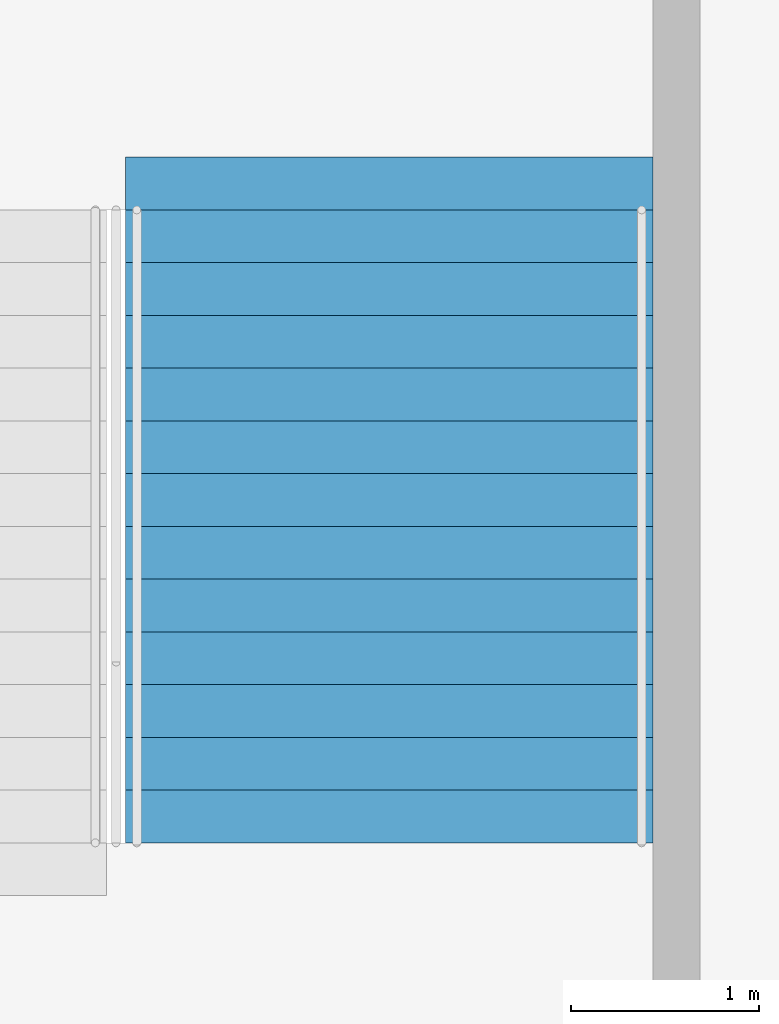
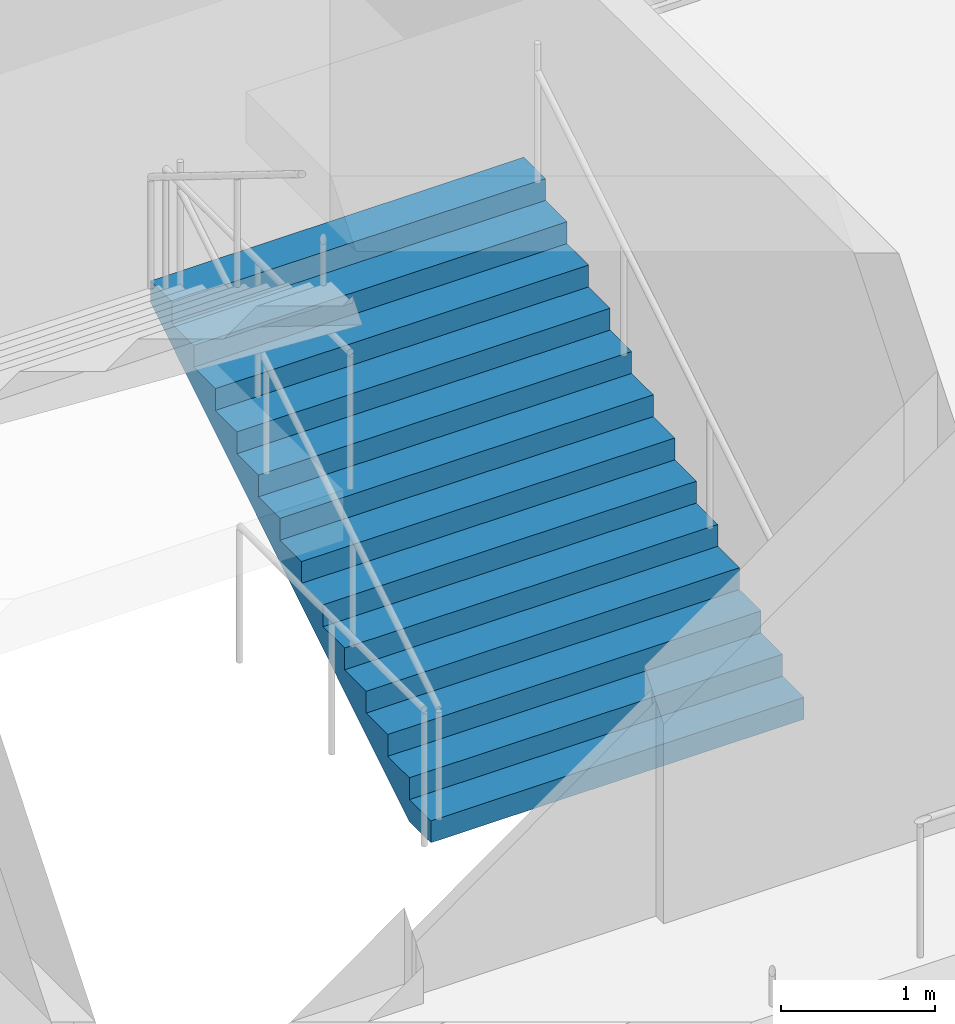
# One storey, part 143 of 177: 1 stair flight, 1 element without a shape of its own.
"""IFC4 building model written with IfcOpenShell, lengths in metres."""

from ifc_helpers import new_model, si_unit, direction, frame, origin, place, context, subcontext, project, spatial, faceted_brep, material, type_object, element, aggregate, save


model = new_model("IFC4")

# Units and contexts
model_context = context("Model", 3, precision=1e-05, world=origin(), true_north=direction((0.0, 1.0)))
body_context = subcontext(model_context, "Body", "Model", "MODEL_VIEW")
ifc_project = project(units=[si_unit("LENGTHUNIT", "METRE"), si_unit("AREAUNIT", "SQUARE_METRE"), si_unit("VOLUMEUNIT", "CUBIC_METRE"), si_unit("PLANEANGLEUNIT", "RADIAN"), si_unit("MASSUNIT", "GRAM", prefix="KILO")], contexts=[model_context])

# Site, building, storey
site_placement = place(None, origin())
site = spatial("IfcSite", under=ifc_project, at=site_placement, CompositionType="ELEMENT")
building_placement = place(site_placement, origin())
building = spatial("IfcBuilding", under=site, at=building_placement, Name="Ogive Plaza Stadium", CompositionType="ELEMENT")
storey_placement = place(building_placement, frame((0.0, 0.0, 18.0)))
storey = spatial("IfcBuildingStorey", under=building, at=storey_placement, Name="L04", CompositionType="ELEMENT", Elevation=18.0)

# Stair, stair flight
ifc_material_1 = material(Name="Concrete C40/50", Category="concrete")
stair_type = type_object("IfcStairType", Name="Exit stair", PredefinedType="STRAIGHT_RUN_STAIR", material=ifc_material_1)
stair_placement = place(storey_placement, origin())
stair = element("IfcStair", 1, at=stair_placement, inside=storey, type_object=stair_type, Name="Exit stair ST32A L04 to L05", PredefinedType="STRAIGHT_RUN_STAIR")
ifc_material_2 = material(Name="Concrete C40/50", Category="concrete")
stair_flight_type = type_object("IfcStairFlightType", Name="Exit stair flight", PredefinedType="STRAIGHT", material=ifc_material_2)
stair_flight_placement = place(storey_placement, frame((-29.574951171875, 94.85009765625, 0.0), z_axis=(0.0, 0.0, 1.0), x_axis=(0.0, 1.0, 0.0)))
stair_flight = element("IfcStairFlight", 2, at=stair_flight_placement, type_object=stair_flight_type, Name="ST32A flight 1", NumberOfRisers=13, NumberOfTreads=12, PredefinedType="STRAIGHT", RiserHeight=0.173076923, TreadLength=0.28, context=body_context, shape_type="Brep", body=[
    faceted_brep([(0.28515625, -1.39990234375, 0.0), (3.639892578125, -1.39990234375, 2.07373046875), (3.639892578125, -1.39990234375, 2.25), (3.360107421875, -1.39990234375, 2.25), (3.360107421875, -1.39990234375, 2.076904296875), (3.080078125, -1.39990234375, 2.076904296875), (3.080078125, -1.39990234375, 1.90380859375), (2.800048828125, -1.39990234375, 1.90380859375), (2.800048828125, -1.39990234375, 1.730712890625), (2.52001953125, -1.39990234375, 1.730712890625), (2.52001953125, -1.39990234375, 1.5576171875), (2.239990234375, -1.39990234375, 1.5576171875), (2.239990234375, -1.39990234375, 1.384521484375), (1.9599609375, -1.39990234375, 1.384521484375), (1.9599609375, -1.39990234375, 1.21142578125), (1.679931640625, -1.39990234375, 1.21142578125), (1.679931640625, -1.39990234375, 1.03857421875), (1.39990234375, -1.39990234375, 1.03857421875), (1.39990234375, -1.39990234375, 0.865478515625), (1.1201171875, -1.39990234375, 0.865478515625), (1.1201171875, -1.39990234375, 0.6923828125), (0.840087890625, -1.39990234375, 0.6923828125), (0.840087890625, -1.39990234375, 0.519287109375), (0.56005859375, -1.39990234375, 0.519287109375), (0.56005859375, -1.39990234375, 0.34619140625), (0.280029296875, -1.39990234375, 0.34619140625), (0.280029296875, -1.39990234375, 0.173095703125), (0.0, -1.39990234375, 0.173095703125), (0.0, -1.39990234375, 0.0), (0.0, 1.39990234375, 0.0), (0.0, 1.39990234375, 0.173095703125), (0.280029296875, 1.39990234375, 0.173095703125), (0.280029296875, 1.39990234375, 0.34619140625), (0.56005859375, 1.39990234375, 0.34619140625), (0.56005859375, 1.39990234375, 0.519287109375), (0.840087890625, 1.39990234375, 0.519287109375), (0.840087890625, 1.39990234375, 0.6923828125), (1.1201171875, 1.39990234375, 0.6923828125), (1.1201171875, 1.39990234375, 0.865478515625), (1.39990234375, 1.39990234375, 0.865478515625), (1.39990234375, 1.39990234375, 1.03857421875), (1.679931640625, 1.39990234375, 1.03857421875), (1.679931640625, 1.39990234375, 1.21142578125), (1.9599609375, 1.39990234375, 1.21142578125), (1.9599609375, 1.39990234375, 1.384521484375), (2.239990234375, 1.39990234375, 1.384521484375), (2.239990234375, 1.39990234375, 1.5576171875), (2.52001953125, 1.39990234375, 1.5576171875), (2.52001953125, 1.39990234375, 1.730712890625), (2.800048828125, 1.39990234375, 1.730712890625), (2.800048828125, 1.39990234375, 1.90380859375), (3.080078125, 1.39990234375, 1.90380859375), (3.080078125, 1.39990234375, 2.076904296875), (3.360107421875, 1.39990234375, 2.076904296875), (3.360107421875, 1.39990234375, 2.25), (3.639892578125, 1.39990234375, 2.25), (3.639892578125, 1.39990234375, 2.07373046875), (0.28515625, 1.39990234375, 0.0), (0.28515625, -1.0888671875, 0.0), (3.639892578125, -1.0888671875, 2.07373046875), (0.28515625, -0.77783203125, 0.0), (3.639892578125, -0.77783203125, 2.07373046875), (0.28515625, -0.466796875, 0.0), (3.639892578125, -0.466796875, 2.07373046875), (0.28515625, -0.155517578125, 0.0), (3.639892578125, -0.155517578125, 2.07373046875), (0.28515625, 0.155517578125, 0.0), (3.639892578125, 0.155517578125, 2.07373046875), (0.28515625, 0.466796875, 0.0), (3.639892578125, 0.466796875, 2.07373046875), (0.28515625, 0.77783203125, 0.0), (3.639892578125, 0.77783203125, 2.07373046875), (0.28515625, 1.0888671875, 0.0), (3.639892578125, 1.0888671875, 2.07373046875), (3.639892578125, -1.0888671875, 2.25), (3.639892578125, -0.77783203125, 2.25), (3.639892578125, -0.466796875, 2.25), (3.639892578125, -0.155517578125, 2.25), (3.639892578125, 0.155517578125, 2.25), (3.639892578125, 0.466796875, 2.25), (3.639892578125, 0.77783203125, 2.25), (3.639892578125, 1.0888671875, 2.25), (3.360107421875, -1.0888671875, 2.25), (3.360107421875, -0.77783203125, 2.25), (3.360107421875, -0.466796875, 2.25), (3.360107421875, -0.155517578125, 2.25), (3.360107421875, 0.155517578125, 2.25), (3.360107421875, 0.466796875, 2.25), (3.360107421875, 0.77783203125, 2.25), (3.360107421875, 1.0888671875, 2.25), (3.360107421875, -1.0888671875, 2.076904296875), (3.360107421875, -0.77783203125, 2.076904296875), (3.360107421875, -0.466796875, 2.076904296875), (3.360107421875, -0.155517578125, 2.076904296875), (3.360107421875, 0.155517578125, 2.076904296875), (3.360107421875, 0.466796875, 2.076904296875), (3.360107421875, 0.77783203125, 2.076904296875), (3.360107421875, 1.0888671875, 2.076904296875), (3.080078125, -1.0888671875, 2.076904296875), (3.080078125, -0.77783203125, 2.076904296875), (3.080078125, -0.466796875, 2.076904296875), (3.080078125, -0.155517578125, 2.076904296875), (3.080078125, 0.155517578125, 2.076904296875), (3.080078125, 0.466796875, 2.076904296875), (3.080078125, 0.77783203125, 2.076904296875), (3.080078125, 1.0888671875, 2.076904296875), (3.080078125, -1.0888671875, 1.90380859375), (3.080078125, -0.77783203125, 1.90380859375), (3.080078125, -0.466796875, 1.90380859375), (3.080078125, -0.155517578125, 1.90380859375), (3.080078125, 0.155517578125, 1.90380859375), (3.080078125, 0.466796875, 1.90380859375), (3.080078125, 0.77783203125, 1.90380859375), (3.080078125, 1.0888671875, 1.90380859375), (2.800048828125, -1.0888671875, 1.90380859375), (2.800048828125, -0.77783203125, 1.90380859375), (2.800048828125, -0.466796875, 1.90380859375), (2.800048828125, -0.155517578125, 1.90380859375), (2.800048828125, 0.155517578125, 1.90380859375), (2.800048828125, 0.466796875, 1.90380859375), (2.800048828125, 0.77783203125, 1.90380859375), (2.800048828125, 1.0888671875, 1.90380859375), (2.800048828125, -1.0888671875, 1.730712890625), (2.800048828125, -0.77783203125, 1.730712890625), (2.800048828125, -0.466796875, 1.730712890625), (2.800048828125, -0.155517578125, 1.730712890625), (2.800048828125, 0.155517578125, 1.730712890625), (2.800048828125, 0.466796875, 1.730712890625), (2.800048828125, 0.77783203125, 1.730712890625), (2.800048828125, 1.0888671875, 1.730712890625), (2.52001953125, -1.0888671875, 1.730712890625), (2.52001953125, -0.77783203125, 1.730712890625), (2.52001953125, -0.466796875, 1.730712890625), (2.52001953125, -0.155517578125, 1.730712890625), (2.52001953125, 0.155517578125, 1.730712890625), (2.52001953125, 0.466796875, 1.730712890625), (2.52001953125, 0.77783203125, 1.730712890625), (2.52001953125, 1.0888671875, 1.730712890625), (2.52001953125, -1.0888671875, 1.5576171875), (2.52001953125, -0.77783203125, 1.5576171875), (2.52001953125, -0.466796875, 1.5576171875), (2.52001953125, -0.155517578125, 1.5576171875), (2.52001953125, 0.155517578125, 1.5576171875), (2.52001953125, 0.466796875, 1.5576171875), (2.52001953125, 0.77783203125, 1.5576171875), (2.52001953125, 1.0888671875, 1.5576171875), (2.239990234375, -1.0888671875, 1.5576171875), (2.239990234375, -0.77783203125, 1.5576171875), (2.239990234375, -0.466796875, 1.5576171875), (2.239990234375, -0.155517578125, 1.5576171875), (2.239990234375, 0.155517578125, 1.5576171875), (2.239990234375, 0.466796875, 1.5576171875), (2.239990234375, 0.77783203125, 1.5576171875), (2.239990234375, 1.0888671875, 1.5576171875), (2.239990234375, -1.0888671875, 1.384521484375), (2.239990234375, -0.77783203125, 1.384521484375), (2.239990234375, -0.466796875, 1.384521484375), (2.239990234375, -0.155517578125, 1.384521484375), (2.239990234375, 0.155517578125, 1.384521484375), (2.239990234375, 0.466796875, 1.384521484375), (2.239990234375, 0.77783203125, 1.384521484375), (2.239990234375, 1.0888671875, 1.384521484375), (1.9599609375, -1.0888671875, 1.384521484375), (1.9599609375, -0.77783203125, 1.384521484375), (1.9599609375, -0.466796875, 1.384521484375), (1.9599609375, -0.155517578125, 1.384521484375), (1.9599609375, 0.155517578125, 1.384521484375), (1.9599609375, 0.466796875, 1.384521484375), (1.9599609375, 0.77783203125, 1.384521484375), (1.9599609375, 1.0888671875, 1.384521484375), (1.9599609375, -1.0888671875, 1.21142578125), (1.9599609375, -0.77783203125, 1.21142578125), (1.9599609375, -0.466796875, 1.21142578125), (1.9599609375, -0.155517578125, 1.21142578125), (1.9599609375, 0.155517578125, 1.21142578125), (1.9599609375, 0.466796875, 1.21142578125), (1.9599609375, 0.77783203125, 1.21142578125), (1.9599609375, 1.0888671875, 1.21142578125), (1.679931640625, -1.0888671875, 1.21142578125), (1.679931640625, -0.77783203125, 1.21142578125), (1.679931640625, -0.466796875, 1.21142578125), (1.679931640625, -0.155517578125, 1.21142578125), (1.679931640625, 0.155517578125, 1.21142578125), (1.679931640625, 0.466796875, 1.21142578125), (1.679931640625, 0.77783203125, 1.21142578125), (1.679931640625, 1.0888671875, 1.21142578125), (1.679931640625, -1.0888671875, 1.03857421875), (1.679931640625, -0.77783203125, 1.03857421875), (1.679931640625, -0.466796875, 1.03857421875), (1.679931640625, -0.155517578125, 1.03857421875), (1.679931640625, 0.155517578125, 1.03857421875), (1.679931640625, 0.466796875, 1.03857421875), (1.679931640625, 0.77783203125, 1.03857421875), (1.679931640625, 1.0888671875, 1.03857421875), (1.39990234375, -1.0888671875, 1.03857421875), (1.39990234375, -0.77783203125, 1.03857421875), (1.39990234375, -0.466796875, 1.03857421875), (1.39990234375, -0.155517578125, 1.03857421875), (1.39990234375, 0.155517578125, 1.03857421875), (1.39990234375, 0.466796875, 1.03857421875), (1.39990234375, 0.77783203125, 1.03857421875), (1.39990234375, 1.0888671875, 1.03857421875), (1.39990234375, -1.0888671875, 0.865478515625), (1.39990234375, -0.77783203125, 0.865478515625), (1.39990234375, -0.466796875, 0.865478515625), (1.39990234375, -0.155517578125, 0.865478515625), (1.39990234375, 0.155517578125, 0.865478515625), (1.39990234375, 0.466796875, 0.865478515625), (1.39990234375, 0.77783203125, 0.865478515625), (1.39990234375, 1.0888671875, 0.865478515625), (1.1201171875, -1.0888671875, 0.865478515625), (1.1201171875, -0.77783203125, 0.865478515625), (1.1201171875, -0.466796875, 0.865478515625), (1.1201171875, -0.155517578125, 0.865478515625), (1.1201171875, 0.155517578125, 0.865478515625), (1.1201171875, 0.466796875, 0.865478515625), (1.1201171875, 0.77783203125, 0.865478515625), (1.1201171875, 1.0888671875, 0.865478515625), (1.1201171875, -1.0888671875, 0.6923828125), (1.1201171875, -0.77783203125, 0.6923828125), (1.1201171875, -0.466796875, 0.6923828125), (1.1201171875, -0.155517578125, 0.6923828125), (1.1201171875, 0.155517578125, 0.6923828125), (1.1201171875, 0.466796875, 0.6923828125), (1.1201171875, 0.77783203125, 0.6923828125), (1.1201171875, 1.0888671875, 0.6923828125), (0.840087890625, -1.0888671875, 0.6923828125), (0.840087890625, -0.77783203125, 0.6923828125), (0.840087890625, -0.466796875, 0.6923828125), (0.840087890625, -0.155517578125, 0.6923828125), (0.840087890625, 0.155517578125, 0.6923828125), (0.840087890625, 0.466796875, 0.6923828125), (0.840087890625, 0.77783203125, 0.6923828125), (0.840087890625, 1.0888671875, 0.6923828125), (0.840087890625, -1.0888671875, 0.519287109375), (0.840087890625, -0.77783203125, 0.519287109375), (0.840087890625, -0.466796875, 0.519287109375), (0.840087890625, -0.155517578125, 0.519287109375), (0.840087890625, 0.155517578125, 0.519287109375), (0.840087890625, 0.466796875, 0.519287109375), (0.840087890625, 0.77783203125, 0.519287109375), (0.840087890625, 1.0888671875, 0.519287109375), (0.56005859375, -1.0888671875, 0.519287109375), (0.56005859375, -0.77783203125, 0.519287109375), (0.56005859375, -0.466796875, 0.519287109375), (0.56005859375, -0.155517578125, 0.519287109375), (0.56005859375, 0.155517578125, 0.519287109375), (0.56005859375, 0.466796875, 0.519287109375), (0.56005859375, 0.77783203125, 0.519287109375), (0.56005859375, 1.0888671875, 0.519287109375), (0.56005859375, -1.0888671875, 0.34619140625), (0.56005859375, -0.77783203125, 0.34619140625), (0.56005859375, -0.466796875, 0.34619140625), (0.56005859375, -0.155517578125, 0.34619140625), (0.56005859375, 0.155517578125, 0.34619140625), (0.56005859375, 0.466796875, 0.34619140625), (0.56005859375, 0.77783203125, 0.34619140625), (0.56005859375, 1.0888671875, 0.34619140625), (0.280029296875, -1.0888671875, 0.34619140625), (0.280029296875, -0.77783203125, 0.34619140625), (0.280029296875, -0.466796875, 0.34619140625), (0.280029296875, -0.155517578125, 0.34619140625), (0.280029296875, 0.155517578125, 0.34619140625), (0.280029296875, 0.466796875, 0.34619140625), (0.280029296875, 0.77783203125, 0.34619140625), (0.280029296875, 1.0888671875, 0.34619140625), (0.280029296875, -1.0888671875, 0.173095703125), (0.280029296875, -0.77783203125, 0.173095703125), (0.280029296875, -0.466796875, 0.173095703125), (0.280029296875, -0.155517578125, 0.173095703125), (0.280029296875, 0.155517578125, 0.173095703125), (0.280029296875, 0.466796875, 0.173095703125), (0.280029296875, 0.77783203125, 0.173095703125), (0.280029296875, 1.0888671875, 0.173095703125), (0.0, -1.0888671875, 0.173095703125), (0.0, -0.77783203125, 0.173095703125), (0.0, -0.466796875, 0.173095703125), (0.0, -0.155517578125, 0.173095703125), (0.0, 0.155517578125, 0.173095703125), (0.0, 0.466796875, 0.173095703125), (0.0, 0.77783203125, 0.173095703125), (0.0, 1.0888671875, 0.173095703125), (0.0, -1.0888671875, 0.0), (0.0, -0.77783203125, 0.0), (0.0, -0.466796875, 0.0), (0.0, -0.155517578125, 0.0), (0.0, 0.155517578125, 0.0), (0.0, 0.466796875, 0.0), (0.0, 0.77783203125, 0.0), (0.0, 1.0888671875, 0.0)], [[[0, 1, 2, 3, 4, 5, 6, 7, 8, 9, 10, 11, 12, 13, 14, 15, 16, 17, 18, 19, 20, 21, 22, 23, 24, 25, 26, 27, 28]], [[29, 30, 31, 32, 33, 34, 35, 36, 37, 38, 39, 40, 41, 42, 43, 44, 45, 46, 47, 48, 49, 50, 51, 52, 53, 54, 55, 56, 57]], [[0, 58, 59, 1]], [[58, 60, 61, 59]], [[60, 62, 63, 61]], [[62, 64, 65, 63]], [[64, 66, 67, 65]], [[66, 68, 69, 67]], [[68, 70, 71, 69]], [[70, 72, 73, 71]], [[72, 57, 56, 73]], [[1, 59, 74, 2]], [[59, 61, 75, 74]], [[61, 63, 76, 75]], [[63, 65, 77, 76]], [[65, 67, 78, 77]], [[67, 69, 79, 78]], [[69, 71, 80, 79]], [[71, 73, 81, 80]], [[73, 56, 55, 81]], [[2, 74, 82, 3]], [[74, 75, 83, 82]], [[75, 76, 84, 83]], [[76, 77, 85, 84]], [[77, 78, 86, 85]], [[78, 79, 87, 86]], [[79, 80, 88, 87]], [[80, 81, 89, 88]], [[81, 55, 54, 89]], [[3, 82, 90, 4]], [[82, 83, 91, 90]], [[83, 84, 92, 91]], [[84, 85, 93, 92]], [[85, 86, 94, 93]], [[86, 87, 95, 94]], [[87, 88, 96, 95]], [[88, 89, 97, 96]], [[89, 54, 53, 97]], [[4, 90, 98, 5]], [[90, 91, 99, 98]], [[91, 92, 100, 99]], [[92, 93, 101, 100]], [[93, 94, 102, 101]], [[94, 95, 103, 102]], [[95, 96, 104, 103]], [[96, 97, 105, 104]], [[97, 53, 52, 105]], [[5, 98, 106, 6]], [[98, 99, 107, 106]], [[99, 100, 108, 107]], [[100, 101, 109, 108]], [[101, 102, 110, 109]], [[102, 103, 111, 110]], [[103, 104, 112, 111]], [[104, 105, 113, 112]], [[105, 52, 51, 113]], [[6, 106, 114, 7]], [[106, 107, 115, 114]], [[107, 108, 116, 115]], [[108, 109, 117, 116]], [[109, 110, 118, 117]], [[110, 111, 119, 118]], [[111, 112, 120, 119]], [[112, 113, 121, 120]], [[113, 51, 50, 121]], [[7, 114, 122, 8]], [[114, 115, 123, 122]], [[115, 116, 124, 123]], [[116, 117, 125, 124]], [[117, 118, 126, 125]], [[118, 119, 127, 126]], [[119, 120, 128, 127]], [[120, 121, 129, 128]], [[121, 50, 49, 129]], [[8, 122, 130, 9]], [[122, 123, 131, 130]], [[123, 124, 132, 131]], [[124, 125, 133, 132]], [[125, 126, 134, 133]], [[126, 127, 135, 134]], [[127, 128, 136, 135]], [[128, 129, 137, 136]], [[129, 49, 48, 137]], [[9, 130, 138, 10]], [[130, 131, 139, 138]], [[131, 132, 140, 139]], [[132, 133, 141, 140]], [[133, 134, 142, 141]], [[134, 135, 143, 142]], [[135, 136, 144, 143]], [[136, 137, 145, 144]], [[137, 48, 47, 145]], [[10, 138, 146, 11]], [[138, 139, 147, 146]], [[139, 140, 148, 147]], [[140, 141, 149, 148]], [[141, 142, 150, 149]], [[142, 143, 151, 150]], [[143, 144, 152, 151]], [[144, 145, 153, 152]], [[145, 47, 46, 153]], [[11, 146, 154, 12]], [[146, 147, 155, 154]], [[147, 148, 156, 155]], [[148, 149, 157, 156]], [[149, 150, 158, 157]], [[150, 151, 159, 158]], [[151, 152, 160, 159]], [[152, 153, 161, 160]], [[153, 46, 45, 161]], [[12, 154, 162, 13]], [[154, 155, 163, 162]], [[155, 156, 164, 163]], [[156, 157, 165, 164]], [[157, 158, 166, 165]], [[158, 159, 167, 166]], [[159, 160, 168, 167]], [[160, 161, 169, 168]], [[161, 45, 44, 169]], [[13, 162, 170, 14]], [[162, 163, 171, 170]], [[163, 164, 172, 171]], [[164, 165, 173, 172]], [[165, 166, 174, 173]], [[166, 167, 175, 174]], [[167, 168, 176, 175]], [[168, 169, 177, 176]], [[169, 44, 43, 177]], [[14, 170, 178, 15]], [[170, 171, 179, 178]], [[171, 172, 180, 179]], [[172, 173, 181, 180]], [[173, 174, 182, 181]], [[174, 175, 183, 182]], [[175, 176, 184, 183]], [[176, 177, 185, 184]], [[177, 43, 42, 185]], [[15, 178, 186, 16]], [[178, 179, 187, 186]], [[179, 180, 188, 187]], [[180, 181, 189, 188]], [[181, 182, 190, 189]], [[182, 183, 191, 190]], [[183, 184, 192, 191]], [[184, 185, 193, 192]], [[185, 42, 41, 193]], [[16, 186, 194, 17]], [[186, 187, 195, 194]], [[187, 188, 196, 195]], [[188, 189, 197, 196]], [[189, 190, 198, 197]], [[190, 191, 199, 198]], [[191, 192, 200, 199]], [[192, 193, 201, 200]], [[193, 41, 40, 201]], [[17, 194, 202, 18]], [[194, 195, 203, 202]], [[195, 196, 204, 203]], [[196, 197, 205, 204]], [[197, 198, 206, 205]], [[198, 199, 207, 206]], [[199, 200, 208, 207]], [[200, 201, 209, 208]], [[201, 40, 39, 209]], [[18, 202, 210, 19]], [[202, 203, 211, 210]], [[203, 204, 212, 211]], [[204, 205, 213, 212]], [[205, 206, 214, 213]], [[206, 207, 215, 214]], [[207, 208, 216, 215]], [[208, 209, 217, 216]], [[209, 39, 38, 217]], [[19, 210, 218, 20]], [[210, 211, 219, 218]], [[211, 212, 220, 219]], [[212, 213, 221, 220]], [[213, 214, 222, 221]], [[214, 215, 223, 222]], [[215, 216, 224, 223]], [[216, 217, 225, 224]], [[217, 38, 37, 225]], [[20, 218, 226, 21]], [[218, 219, 227, 226]], [[219, 220, 228, 227]], [[220, 221, 229, 228]], [[221, 222, 230, 229]], [[222, 223, 231, 230]], [[223, 224, 232, 231]], [[224, 225, 233, 232]], [[225, 37, 36, 233]], [[21, 226, 234, 22]], [[226, 227, 235, 234]], [[227, 228, 236, 235]], [[228, 229, 237, 236]], [[229, 230, 238, 237]], [[230, 231, 239, 238]], [[231, 232, 240, 239]], [[232, 233, 241, 240]], [[233, 36, 35, 241]], [[22, 234, 242, 23]], [[234, 235, 243, 242]], [[235, 236, 244, 243]], [[236, 237, 245, 244]], [[237, 238, 246, 245]], [[238, 239, 247, 246]], [[239, 240, 248, 247]], [[240, 241, 249, 248]], [[241, 35, 34, 249]], [[23, 242, 250, 24]], [[242, 243, 251, 250]], [[243, 244, 252, 251]], [[244, 245, 253, 252]], [[245, 246, 254, 253]], [[246, 247, 255, 254]], [[247, 248, 256, 255]], [[248, 249, 257, 256]], [[249, 34, 33, 257]], [[24, 250, 258, 25]], [[250, 251, 259, 258]], [[251, 252, 260, 259]], [[252, 253, 261, 260]], [[253, 254, 262, 261]], [[254, 255, 263, 262]], [[255, 256, 264, 263]], [[256, 257, 265, 264]], [[257, 33, 32, 265]], [[25, 258, 266, 26]], [[258, 259, 267, 266]], [[259, 260, 268, 267]], [[260, 261, 269, 268]], [[261, 262, 270, 269]], [[262, 263, 271, 270]], [[263, 264, 272, 271]], [[264, 265, 273, 272]], [[265, 32, 31, 273]], [[26, 266, 274, 27]], [[266, 267, 275, 274]], [[267, 268, 276, 275]], [[268, 269, 277, 276]], [[269, 270, 278, 277]], [[270, 271, 279, 278]], [[271, 272, 280, 279]], [[272, 273, 281, 280]], [[273, 31, 30, 281]], [[27, 274, 282, 28]], [[274, 275, 283, 282]], [[275, 276, 284, 283]], [[276, 277, 285, 284]], [[277, 278, 286, 285]], [[278, 279, 287, 286]], [[279, 280, 288, 287]], [[280, 281, 289, 288]], [[281, 30, 29, 289]], [[28, 282, 58, 0]], [[282, 283, 60, 58]], [[283, 284, 62, 60]], [[284, 285, 64, 62]], [[285, 286, 66, 64]], [[286, 287, 68, 66]], [[287, 288, 70, 68]], [[288, 289, 72, 70]], [[289, 29, 57, 72]]]),
])
aggregate(stair, [stair_flight])

save(model, "model.ifc")
